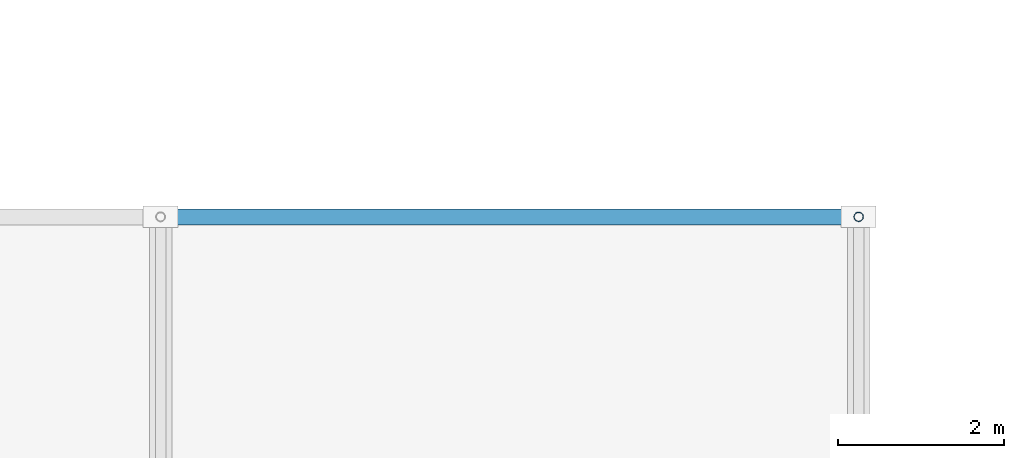
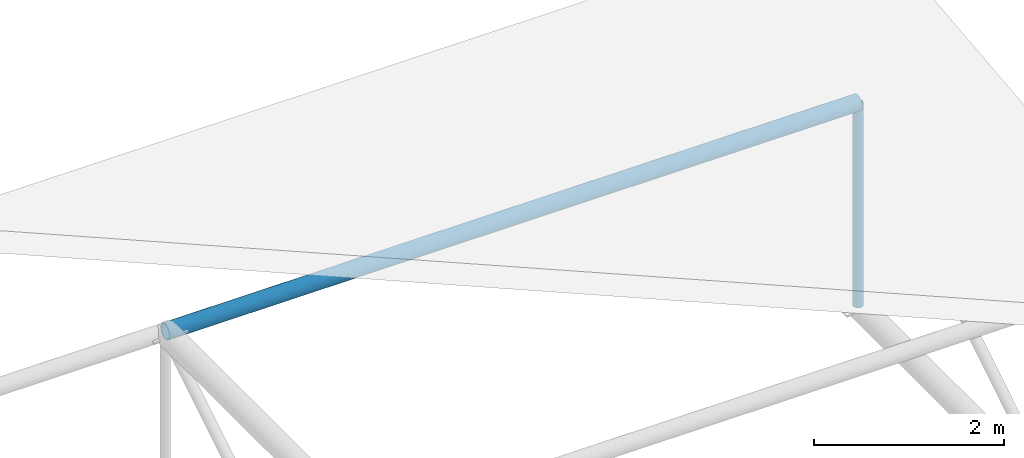
# One storey, part 38 of 140: 2 members.
"""IFC4 building model written with IfcOpenShell, lengths in metres."""

from ifc_helpers import new_model, si_unit, direction, frame, origin, origin_2d, place, context, subcontext, project, spatial, hollow_circle, extrude, material, material_profile, profile_set, type_object, element, save


model = new_model("IFC4")

# Units and contexts
model_context = context("Model", 3, precision=1e-05, world=origin(), true_north=direction((0.0, 1.0)))
body_context = subcontext(model_context, "Body", "Model", "MODEL_VIEW")
ifc_project = project(units=[si_unit("LENGTHUNIT", "METRE"), si_unit("AREAUNIT", "SQUARE_METRE"), si_unit("VOLUMEUNIT", "CUBIC_METRE"), si_unit("PLANEANGLEUNIT", "RADIAN"), si_unit("MASSUNIT", "GRAM", prefix="KILO")], contexts=[model_context])

# Site, building, storey
site_placement = place(None, origin())
site = spatial("IfcSite", under=ifc_project, at=site_placement, CompositionType="ELEMENT")
building_placement = place(site_placement, origin())
building = spatial("IfcBuilding", under=site, at=building_placement, Name="Varnapada Polytechnic", CompositionType="ELEMENT")
storey_placement = place(building_placement, frame((0.0, 0.0, 13.800048828125)))
storey = spatial("IfcBuildingStorey", under=building, at=storey_placement, Name="L03", CompositionType="ELEMENT", Elevation=13.800048828125)

# Members
ifc_material = material(Name="Steel S355", Category="steel")
ifc_material_profile_1 = material_profile(ifc_material, hollow_circle(Radius=0.096923828125, WallThickness=0.00634765625, at=origin_2d()), Name="CHS 193.7x6.3")
ifc_profile_set_1 = profile_set([ifc_material_profile_1], Name="Steel S355")
member_type_1 = type_object("IfcMemberType", Name="Canopy space frame longitudinal chord SFC-03 (CHS 193.7x6.3)", PredefinedType="CHORD", material=ifc_profile_set_1)
member_1_placement = place(storey_placement, frame((100.800048828125, 25.199951171875, -1.35009765625), z_axis=(1.0, 0.0, 0.0), x_axis=(0.0, 1.0, 0.0)))
element("IfcMember", 1, at=member_1_placement, inside=storey, type_object=member_type_1, Name="Entrance canopy longitudinal chord 4.1", PredefinedType="CHORD", context=body_context, shape_type="SweptSolid", body=[
    extrude(hollow_circle(Radius=0.096923828125, WallThickness=0.00634765625, at=origin_2d()), origin(), (0.0, 0.0, 1.0), 8.39990234375),
])
ifc_material_profile_2 = material_profile(ifc_material, hollow_circle(Radius=0.05712890625, WallThickness=0.0048828125, at=origin_2d()), Name="CHS 114.3x5.0")
ifc_profile_set_2 = profile_set([ifc_material_profile_2], Name="Steel S355")
member_type_2 = type_object("IfcMemberType", Name="Canopy space frame web strut SFS-02 (CHS 114.3x5.0)", PredefinedType="STRUT", material=ifc_profile_set_2)
member_2_placement = place(storey_placement, frame((109.199951171875, 25.199951171875, -3.949951171875), z_axis=(0.0, 0.0, 1.0), x_axis=(1.0, 0.0, 0.0)))
element("IfcMember", 2, at=member_2_placement, inside=storey, type_object=member_type_2, Name="Entrance canopy space frame post 5.1", PredefinedType="STRUT", context=body_context, shape_type="SweptSolid", body=[
    extrude(hollow_circle(Radius=0.05712890625, WallThickness=0.0048828125, at=origin_2d()), origin(), (0.0, 0.0, 1.0), 2.599853515625),
])

save(model, "model.ifc")
